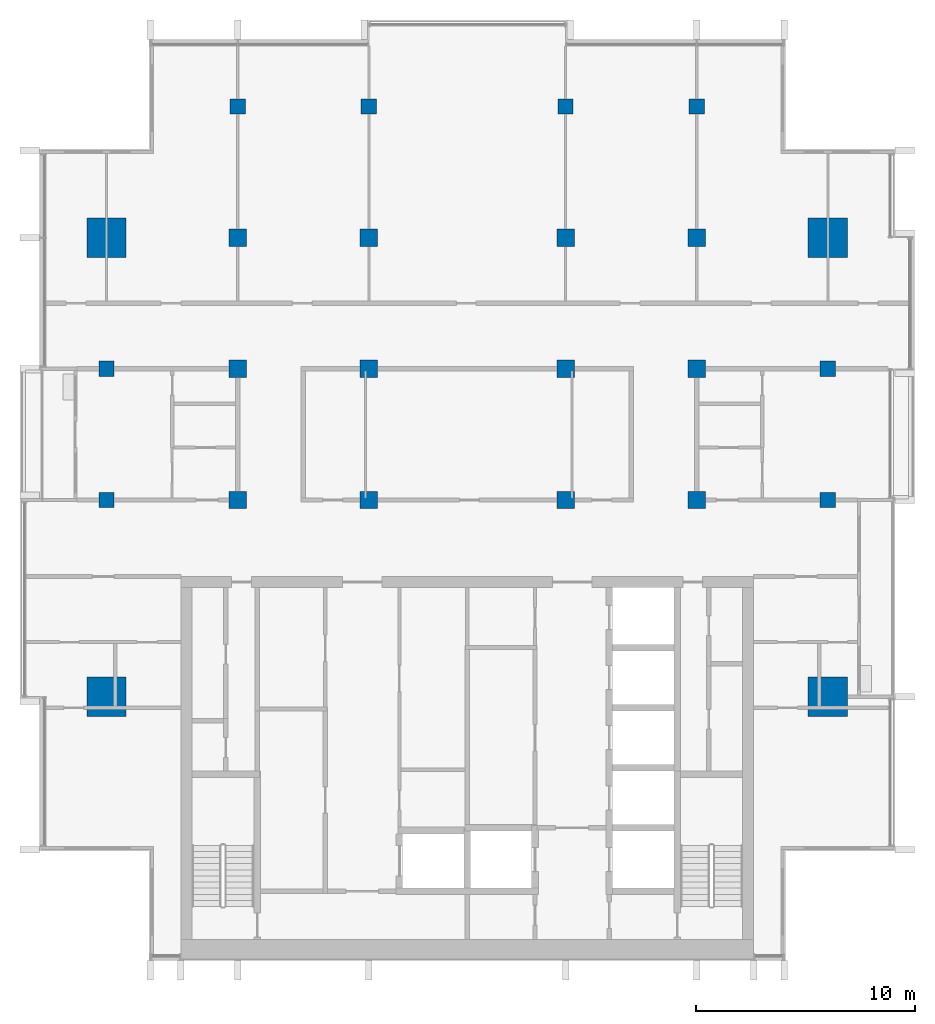
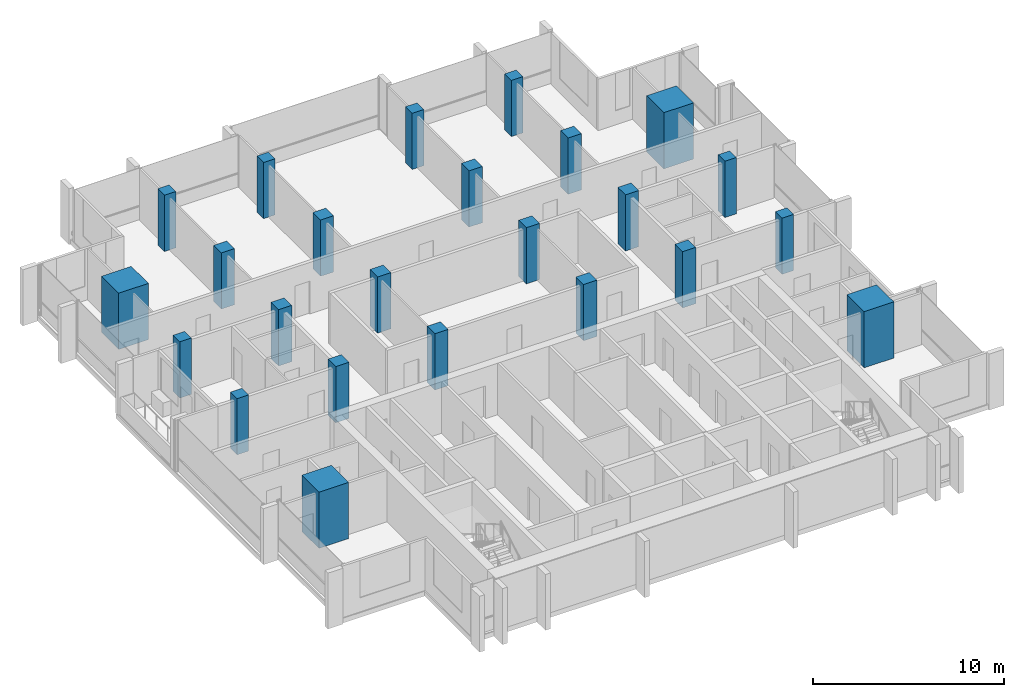
# One storey, part 1 of 15: 24 columns.
"""IFC4 building model written with IfcOpenShell, lengths in metres."""

from ifc_helpers import new_model, si_unit, direction, frame, origin, origin_2d, place, context, subcontext, project, spatial, rectangle, extrude, material, material_profile, profile_set, type_object, element, save


model = new_model("IFC4")

# Units and contexts
model_context = context("Model", 3, precision=1e-05, world=origin(), true_north=direction((0.0, 1.0)))
body_context = subcontext(model_context, "Body", "Model", "MODEL_VIEW")
ifc_project = project(units=[si_unit("LENGTHUNIT", "METRE"), si_unit("AREAUNIT", "SQUARE_METRE"), si_unit("VOLUMEUNIT", "CUBIC_METRE"), si_unit("PLANEANGLEUNIT", "RADIAN"), si_unit("MASSUNIT", "GRAM", prefix="KILO")], contexts=[model_context])

# Site, building, storey
site_placement = place(None, origin())
site = spatial("IfcSite", under=ifc_project, at=site_placement, CompositionType="ELEMENT")
building_placement = place(site_placement, origin())
building = spatial("IfcBuilding", under=site, at=building_placement, Name="Finial Court Residences", CompositionType="ELEMENT")
storey_placement = place(building_placement, frame((0.0, 0.0, 266.300048828125)))
storey = spatial("IfcBuildingStorey", under=building, at=storey_placement, Name="L67", CompositionType="ELEMENT", Elevation=266.300048828125)

# Columns
ifc_material = material(Name="Concrete C50/60", Category="concrete")
ifc_material_profile_1 = material_profile(ifc_material, rectangle(XDim=0.800048828125, YDim=0.800048828125, at=origin_2d()), Name="800x800")
ifc_profile_set_1 = profile_set([ifc_material_profile_1], Name="Concrete C50/60")
column_type_1 = type_object("IfcColumnType", Name="Interior column 800x800 Concrete C50/60", PredefinedType="COLUMN", material=ifc_profile_set_1)
for number, where, z_axis, x_axis, name in (
    (1, (-10.5, -4.5, 0.0), (0.0, 0.0, 1.0), (1.0, 0.0, 0.0), "S:COL:L67:D4"),
    (2, (-10.5, 1.5, 0.0), (0.0, 0.0, 1.0), (1.0, 0.0, 0.0), "S:COL:L67:D5"),
    (3, (-10.5, 7.5, 0.0), (0.0, 0.0, 1.0), (1.0, 0.0, 0.0), "S:COL:L67:D6"),
    (4, (-4.5, -4.5, 0.0), (0.0, 0.0, 1.0), (1.0, 0.0, 0.0), "S:COL:L67:E4"),
    (5, (-4.5, 1.5, 0.0), (0.0, 0.0, 1.0), (1.0, 0.0, 0.0), "S:COL:L67:E5"),
    (6, (-4.5, 7.5, 0.0), (0.0, 0.0, 1.0), (1.0, 0.0, 0.0), "S:COL:L67:E6"),
    (7, (4.5, -4.5, 0.0), (0.0, 0.0, 1.0), (1.0, 0.0, 0.0), "S:COL:L67:F4"),
    (8, (4.5, 1.5, 0.0), (0.0, 0.0, 1.0), (1.0, 0.0, 0.0), "S:COL:L67:F5"),
    (9, (4.5, 7.5, 0.0), (0.0, 0.0, 1.0), (1.0, 0.0, 0.0), "S:COL:L67:F6"),
    (10, (10.5, -4.5, 0.0), (0.0, 0.0, 1.0), (1.0, 0.0, 0.0), "S:COL:L67:G4"),
    (11, (10.5, 1.5, 0.0), (0.0, 0.0, 1.0), (1.0, 0.0, 0.0), "S:COL:L67:G5"),
    (12, (10.5, 7.5, 0.0), (0.0, 0.0, 1.0), (1.0, 0.0, 0.0), "S:COL:L67:G6"),
):
    element("IfcColumn", number, at=place(storey_placement, frame(where, z_axis=z_axis, x_axis=x_axis)), inside=storey, type_object=column_type_1, Name=name, PredefinedType="COLUMN", context=body_context, shape_type="SweptSolid", body=[
        extrude(rectangle(XDim=0.800048828125, YDim=0.800048828125, at=origin_2d()), origin(), (0.0, 0.0, 1.0), 3.599853515625),
    ])
ifc_material_profile_2 = material_profile(ifc_material, rectangle(XDim=1.800048828125, YDim=1.800048828125, at=origin_2d()), Name="1800x1800")
ifc_profile_set_2 = profile_set([ifc_material_profile_2], Name="Concrete C50/60")
column_type_2 = type_object("IfcColumnType", Name="Mega column 1800x1800 Concrete C50/60", PredefinedType="COLUMN", material=ifc_profile_set_2)
for number, where, z_axis, x_axis, name in (
    (13, (-16.5, -13.5, 0.0), (0.0, 0.0, 1.0), (1.0, 0.0, 0.0), "S:COL:L67:C3"),
    (14, (-16.5, 7.5, 0.0), (0.0, 0.0, 1.0), (1.0, 0.0, 0.0), "S:COL:L67:C6"),
    (15, (16.5, -13.5, 0.0), (0.0, 0.0, 1.0), (1.0, 0.0, 0.0), "S:COL:L67:H3"),
    (16, (16.5, 7.5, 0.0), (0.0, 0.0, 1.0), (1.0, 0.0, 0.0), "S:COL:L67:H6"),
):
    element("IfcColumn", number, at=place(storey_placement, frame(where, z_axis=z_axis, x_axis=x_axis)), inside=storey, type_object=column_type_2, Name=name, PredefinedType="COLUMN", context=body_context, shape_type="SweptSolid", body=[
        extrude(rectangle(XDim=1.800048828125, YDim=1.800048828125, at=origin_2d()), origin(), (0.0, 0.0, 1.0), 3.599853515625),
    ])
ifc_material_profile_3 = material_profile(ifc_material, rectangle(XDim=0.699951171875, YDim=0.699951171875, at=origin_2d()), Name="700x700")
ifc_profile_set_3 = profile_set([ifc_material_profile_3], Name="Concrete C50/60")
column_type_3 = type_object("IfcColumnType", Name="Perimeter column 700x700 Concrete C50/60", PredefinedType="COLUMN", material=ifc_profile_set_3)
for number, where, z_axis, x_axis, name in (
    (17, (-16.5, -4.5, 0.0), (0.0, 0.0, 1.0), (1.0, 0.0, 0.0), "S:COL:L67:C4"),
    (18, (-16.5, 1.5, 0.0), (0.0, 0.0, 1.0), (1.0, 0.0, 0.0), "S:COL:L67:C5"),
    (19, (-10.5, 13.5, 0.0), (0.0, 0.0, 1.0), (1.0, 0.0, 0.0), "S:COL:L67:D7"),
    (20, (-4.5, 13.5, 0.0), (0.0, 0.0, 1.0), (1.0, 0.0, 0.0), "S:COL:L67:E7"),
    (21, (4.5, 13.5, 0.0), (0.0, 0.0, 1.0), (1.0, 0.0, 0.0), "S:COL:L67:F7"),
    (22, (10.5, 13.5, 0.0), (0.0, 0.0, 1.0), (1.0, 0.0, 0.0), "S:COL:L67:G7"),
    (23, (16.5, -4.5, 0.0), (0.0, 0.0, 1.0), (1.0, 0.0, 0.0), "S:COL:L67:H4"),
    (24, (16.5, 1.5, 0.0), (0.0, 0.0, 1.0), (1.0, 0.0, 0.0), "S:COL:L67:H5"),
):
    element("IfcColumn", number, at=place(storey_placement, frame(where, z_axis=z_axis, x_axis=x_axis)), inside=storey, type_object=column_type_3, Name=name, PredefinedType="COLUMN", context=body_context, shape_type="SweptSolid", body=[
        extrude(rectangle(XDim=0.699951171875, YDim=0.699951171875, at=origin_2d()), origin(), (0.0, 0.0, 1.0), 3.599853515625),
    ])

save(model, "model.ifc")
